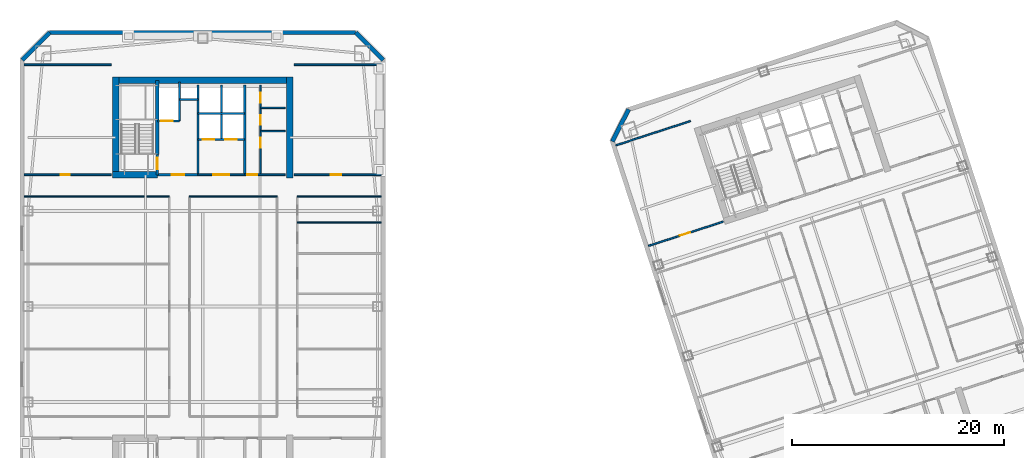
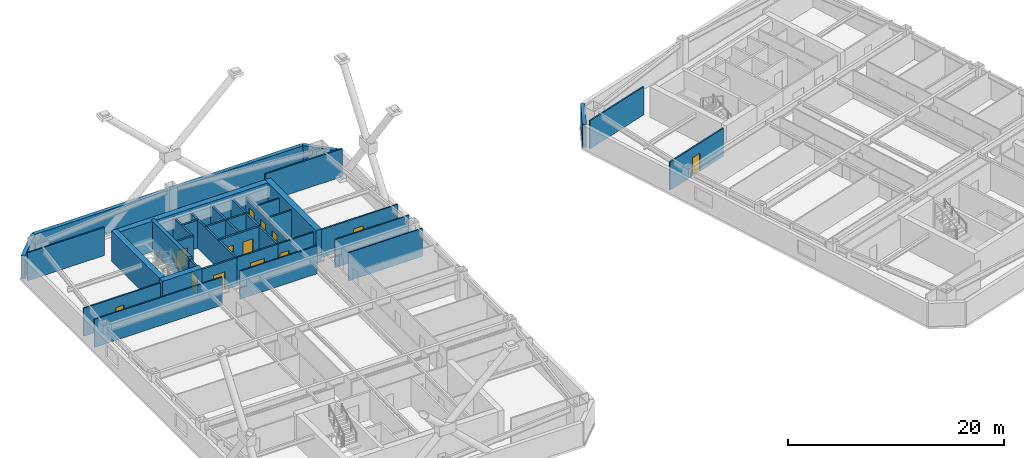
# One storey, part 8 of 14: 34 walls, 13 doors, 13 openings.
"""IFC4 building model written with IfcOpenShell, lengths in metres."""

from ifc_helpers import new_model, si_unit, direction, frame, frame_2d, origin, place, context, subcontext, project, spatial, rectangle, extrude, material, layer, layer_set, type_object, element, fill, save


model = new_model("IFC4")

# Units and contexts
model_context = context("Model", 3, precision=1e-05, world=origin(), true_north=direction((0.0, 1.0)))
body_context = subcontext(model_context, "Body", "Model", "MODEL_VIEW")
ifc_project = project(units=[si_unit("LENGTHUNIT", "METRE"), si_unit("AREAUNIT", "SQUARE_METRE"), si_unit("VOLUMEUNIT", "CUBIC_METRE"), si_unit("PLANEANGLEUNIT", "RADIAN"), si_unit("MASSUNIT", "GRAM", prefix="KILO")], contexts=[model_context])

# Site, building, storey
site_placement = place(None, origin())
site = spatial("IfcSite", under=ifc_project, at=site_placement, CompositionType="ELEMENT")
building_placement = place(site_placement, origin())
building = spatial("IfcBuilding", under=site, at=building_placement, Name="Qiaolan Cultural Towers", CompositionType="ELEMENT")
storey_placement = place(building_placement, frame((0.0, 0.0, 159.85009765625)))
storey = spatial("IfcBuildingStorey", under=building, at=storey_placement, Name="L42", CompositionType="ELEMENT", Elevation=159.85009765625)

# Walls
ifc_material_1 = material(Name="Concrete C50", Category="concrete")
ifc_layer_1 = layer(ifc_material_1, 0.35009765625)
ifc_layer_set_1 = layer_set([ifc_layer_1], Name="Concrete C50")
wall_type_1 = type_object("IfcWallType", Name="WL-CORE-350", PredefinedType="SHEAR", material=ifc_layer_set_1)
wall_1_placement = place(storey_placement, frame((25.719970703125, 48.300048828125, 0.0), z_axis=(0.0, 0.0, 1.0), x_axis=(0.0, 1.0, 0.0)))
element("IfcWall", 1, at=wall_1_placement, inside=storey, type_object=wall_type_1, Name="L42 T1-CN Stair Core Dividing Web", PredefinedType="SHEAR", context=body_context, shape_type="SweptSolid", body=[
    extrude(rectangle(XDim=6.97998046875, YDim=0.35009765625, at=frame_2d((3.489990234375, 0.0))), origin(), (0.0, 0.0, 1.0), 3.449951171875),
])
ifc_material_2 = material(Name="Concrete C55", Category="concrete")
ifc_layer_2 = layer(ifc_material_2, 0.60009765625)
ifc_layer_set_2 = layer_set([ifc_layer_2], Name="Concrete C55")
wall_type_2 = type_object("IfcWallType", Name="WL-CORE-600", PredefinedType="SHEAR", material=ifc_layer_set_2)
wall_2_placement = place(storey_placement, frame((21.5, 55.280029296875, 0.0), z_axis=(0.0, 0.0, 1.0), x_axis=(1.0, 0.0, 0.0)))
element("IfcWall", 2, at=wall_2_placement, inside=storey, type_object=wall_type_2, Name="L42 T1-CN Outer Core Shear Wall", PredefinedType="SHEAR", context=body_context, shape_type="SweptSolid", body=[
    extrude(rectangle(XDim=17.0, YDim=0.60009765625, at=frame_2d((8.5, 0.0))), origin(), (0.0, 0.0, 1.0), 3.449951171875),
])
for number, where, z_axis, x_axis, name in (
    (3, (21.800048828125, 46.10009765625, 0.0), (0.0, 0.0, 1.0), (0.0, 1.0, 0.0), "L42 T1-CN West Core Shear Wall"),
    (4, (38.199951171875, 46.10009765625, 0.0), (0.0, 0.0, 1.0), (0.0, 1.0, 0.0), "L42 T1-CN East Core Shear Wall"),
):
    element("IfcWall", number, at=place(storey_placement, frame(where, z_axis=z_axis, x_axis=x_axis)), inside=storey, type_object=wall_type_2, Name=name, PredefinedType="SHEAR", context=body_context, shape_type="SweptSolid", body=[
        extrude(rectangle(XDim=9.47998046875, YDim=0.60009765625, at=frame_2d((4.739990234375, 0.0))), origin(), (0.0, 0.0, 1.0), 3.449951171875),
    ])
wall_3_placement = place(storey_placement, frame((21.5, 46.39990234375, 0.0), z_axis=(0.0, 0.0, 1.0), x_axis=(1.0, 0.0, 0.0)))
element("IfcWall", 5, at=wall_3_placement, inside=storey, type_object=wall_type_2, Name="L42 T1-CN Stair Front Shear Wall", PredefinedType="SHEAR", context=body_context, shape_type="SweptSolid", body=[
    extrude(rectangle(XDim=4.219970703125, YDim=0.60009765625, at=frame_2d((2.10986328125, 0.0))), origin(), (0.0, 0.0, 1.0), 3.449951171875),
])
ifc_material_3 = material(Name="Precast Concrete C50 Honed Stone Pier", Category="masonry")
ifc_layer_3 = layer(ifc_material_3, 0.39990234375)
ifc_layer_set_3 = layer_set([ifc_layer_3], Name="Precast Concrete C50 Honed Stone Pier")
wall_type_3 = type_object("IfcWallType", Name="WL-EXT-PIER-400", PredefinedType="SOLIDWALL", material=ifc_layer_set_3)
wall_4_placement = place(storey_placement, frame((13.0, 57.199951171875, 0.0), z_axis=(0.0, 0.0, 1.0), x_axis=(0.707106781187, 0.707106781187, 0.0)))
element("IfcWall", 6, at=wall_4_placement, inside=storey, type_object=wall_type_3, Name="L42 West Tower Precast Pier Facade Wall F2", PredefinedType="SOLIDWALL", context=body_context, shape_type="SweptSolid", body=[
    extrude(rectangle(XDim=3.677001953125, YDim=0.39990234375, at=frame_2d((1.83837890625, 0.0))), origin(), (0.0, 0.0, 1.0), 2.60986328125),
])
wall_5_placement = place(storey_placement, frame((15.60009765625, 59.800048828125, 0.0), z_axis=(0.0, 0.0, 1.0), x_axis=(1.0, 0.0, 0.0)))
element("IfcWall", 7, at=wall_5_placement, inside=storey, type_object=wall_type_3, Name="L42 West Tower Precast Pier Facade Wall F3", PredefinedType="SOLIDWALL", context=body_context, shape_type="SweptSolid", body=[
    extrude(rectangle(XDim=28.7998046875, YDim=0.39990234375, at=frame_2d((14.39990234375, 0.0))), origin(), (0.0, 0.0, 1.0), 2.60986328125),
])
wall_6_placement = place(storey_placement, frame((44.39990234375, 59.800048828125, 0.0), z_axis=(0.0, 0.0, 1.0), x_axis=(0.707106781187, -0.707106781187, 0.0)))
element("IfcWall", 8, at=wall_6_placement, inside=storey, type_object=wall_type_3, Name="L42 West Tower Precast Pier Facade Wall F4", PredefinedType="SOLIDWALL", context=body_context, shape_type="SweptSolid", body=[
    extrude(rectangle(XDim=3.677001953125, YDim=0.39990234375, at=frame_2d((1.83837890625, 0.0))), origin(), (0.0, 0.0, 1.0), 2.60986328125),
])
wall_7_placement = place(storey_placement, frame((68.550537109375, 49.531982421875, 0.0), z_axis=(0.0, 0.0, 1.0), x_axis=(0.454019523198, 0.890991735402, 0.0)))
element("IfcWall", 9, at=wall_7_placement, inside=storey, type_object=wall_type_3, Name="L42 East Tower Precast Pier Facade Wall F2", PredefinedType="SOLIDWALL", context=body_context, shape_type="SweptSolid", body=[
    extrude(rectangle(XDim=3.39404296875, YDim=0.39990234375, at=frame_2d((1.697021484375, 0.0))), origin(), (0.0, 0.0, 1.0), 2.60986328125),
])

# Wall, opening, door
ifc_material_4 = material(Name="Concrete C35 Fire Wall", Category="concrete")
ifc_layer_4 = layer(ifc_material_4, 0.199951171875)
ifc_layer_set_4 = layer_set([ifc_layer_4], Name="Concrete C35 Fire Wall")
wall_type_4 = type_object("IfcWallType", Name="WL-FIRE-200", PredefinedType="PARTITIONING", material=ifc_layer_set_4)
wall_8_placement = place(storey_placement, frame((25.719970703125, 46.39990234375, 0.0), z_axis=(0.0, 0.0, 1.0), x_axis=(0.0, 1.0, 0.0)))
wall_8 = element("IfcWall", 10, at=wall_8_placement, inside=storey, type_object=wall_type_4, Name="L42 T1-CN Smokeproof Stair Entry Wall", PredefinedType="PARTITIONING", context=body_context, shape_type="SweptSolid", body=[
    extrude(rectangle(XDim=1.900146484375, YDim=0.199951171875, at=frame_2d((0.9501953125, 0.0))), origin(), (0.0, 0.0, 1.0), 3.1748046875),
])
opening_1_placement = place(wall_8_placement, frame((0.52001953125, 0.0, 0.0)))
opening_1 = element("IfcOpeningElement", 11, at=opening_1_placement, cuts=wall_8, Name="Opening FD-04", PredefinedType="OPENING", context=body_context, shape_type="SweptSolid", body=[
    extrude(rectangle(XDim=1.10009765625, YDim=2.050048828125, at=frame_2d((0.550048828125, 1.02490234375))), frame((0.0, 0.10986328125, 0.0), z_axis=(0.0, -1.0, 0.0), x_axis=(1.0, 0.0, 0.0)), (0.0, 0.0, 1.0), 0.219970703125),
])
ifc_material_5 = material(Name="Galvanized Steel Command Fire Door", Category="steel")
door_type_1 = type_object("IfcDoorType", Name="DR-FD90-1100", OperationType="NOTDEFINED", PredefinedType="DOOR", material=ifc_material_5)
door_1_placement = place(opening_1_placement, origin())
door_1 = element("IfcDoor", 12, at=door_1_placement, inside=storey, type_object=door_type_1, Name="L42 ST-W2 Smokeproof Stair Fire Door", OperationType="SINGLE_SWING_LEFT", OverallHeight=2.050048828125, OverallWidth=1.10009765625, PredefinedType="DOOR", context=body_context, shape_type="SweptSolid", body=[
    extrude(rectangle(XDim=1.10009765625, YDim=2.050048828125, at=frame_2d((0.550048828125, 1.02490234375))), frame((0.0, 0.02490234375, 0.0), z_axis=(0.0, -1.0, 0.0), x_axis=(1.0, 0.0, 0.0)), (0.0, 0.0, 1.0), 0.050048828125),
])
fill(opening_1, door_1)

# Wall
wall_9_placement = place(storey_placement, frame((29.550048828125, 46.39990234375, 0.0), z_axis=(0.0, 0.0, 1.0), x_axis=(0.0, 1.0, 0.0)))
element("IfcWall", 13, at=wall_9_placement, inside=storey, type_object=wall_type_4, Name="L42 T1-CN Firefighting Zone Wall", PredefinedType="PARTITIONING", context=body_context, shape_type="SweptSolid", body=[
    extrude(rectangle(XDim=8.43017578125, YDim=0.199951171875, at=frame_2d((4.215087890625, 0.0))), origin(), (0.0, 0.0, 1.0), 3.1748046875),
])

# Wall, opening, door
wall_10_placement = place(storey_placement, frame((25.719970703125, 46.39990234375, 0.0), z_axis=(0.0, 0.0, 1.0), x_axis=(1.0, 0.0, 0.0)))
wall_10 = element("IfcWall", 14, at=wall_10_placement, inside=storey, type_object=wall_type_4, Name="L42 T1-CN Firefighting Lobby Front Wall", PredefinedType="PARTITIONING", context=body_context, shape_type="SweptSolid", body=[
    extrude(rectangle(XDim=3.830078125, YDim=0.199951171875, at=frame_2d((1.9150390625, 0.0))), origin(), (0.0, 0.0, 1.0), 3.1748046875),
])
opening_2_placement = place(wall_10_placement, frame((1.35009765625, 0.0, 0.0)))
opening_2 = element("IfcOpeningElement", 15, at=opening_2_placement, cuts=wall_10, Name="Opening FD-03", PredefinedType="OPENING", context=body_context, shape_type="SweptSolid", body=[
    extrude(rectangle(XDim=1.199951171875, YDim=2.050048828125, at=frame_2d((0.60009765625, 1.02490234375))), frame((0.0, 0.10986328125, 0.0), z_axis=(0.0, -1.0, 0.0), x_axis=(1.0, 0.0, 0.0)), (0.0, 0.0, 1.0), 0.219970703125),
])
ifc_material_6 = material(Name="Galvanized Steel Smokeproof Lobby Fire Door", Category="steel")
door_type_2 = type_object("IfcDoorType", Name="DR-FD90-1200", OperationType="NOTDEFINED", PredefinedType="DOOR", material=ifc_material_6)
door_2_placement = place(opening_2_placement, origin())
door_2 = element("IfcDoor", 16, at=door_2_placement, inside=storey, type_object=door_type_2, Name="L42 FFL-W2 Firefighting Lobby Fire Door", OperationType="SINGLE_SWING_LEFT", OverallHeight=2.050048828125, OverallWidth=1.199951171875, PredefinedType="DOOR", context=body_context, shape_type="SweptSolid", body=[
    extrude(rectangle(XDim=1.199951171875, YDim=2.050048828125, at=frame_2d((0.60009765625, 1.02490234375))), frame((0.0, 0.02490234375, 0.0), z_axis=(0.0, -1.0, 0.0), x_axis=(1.0, 0.0, 0.0)), (0.0, 0.0, 1.0), 0.050048828125),
])
fill(opening_2, door_2)

wall_11_placement = place(storey_placement, frame((25.719970703125, 51.449951171875, 0.0), z_axis=(0.0, 0.0, 1.0), x_axis=(1.0, 0.0, 0.0)))
wall_11 = element("IfcWall", 17, at=wall_11_placement, inside=storey, type_object=wall_type_4, Name="L42 T1-CN Firefighting Shaft Front Wall", PredefinedType="PARTITIONING", context=body_context, shape_type="SweptSolid", body=[
    extrude(rectangle(XDim=2.10009765625, YDim=0.199951171875, at=frame_2d((1.050048828125, 0.0))), origin(), (0.0, 0.0, 1.0), 3.1748046875),
])
opening_3_placement = place(wall_11_placement, frame((0.35009765625, 0.0, 0.0)))
opening_3 = element("IfcOpeningElement", 18, at=opening_3_placement, cuts=wall_11, Name="Opening LD-01", PredefinedType="OPENING", context=body_context, shape_type="SweptSolid", body=[
    extrude(rectangle(XDim=1.10009765625, YDim=2.050048828125, at=frame_2d((0.550048828125, 1.02490234375))), frame((0.0, 0.10986328125, 0.0), z_axis=(0.0, -1.0, 0.0), x_axis=(1.0, 0.0, 0.0)), (0.0, 0.0, 1.0), 0.219970703125),
])
ifc_material_7 = material(Name="Brushed Stainless Steel S30408 Centre-Parting Lift Landing Door", Category="steel")
door_type_3 = type_object("IfcDoorType", Name="DR-LIFT-1100", OperationType="NOTDEFINED", PredefinedType="DOOR", material=ifc_material_7)
door_3_placement = place(opening_3_placement, origin())
door_3 = element("IfcDoor", 19, at=door_3_placement, inside=storey, type_object=door_type_3, Name="L42 FFL-W2 Firefighting Lift Landing Door", OperationType="DOUBLE_DOOR_SLIDING", OverallHeight=2.050048828125, OverallWidth=1.10009765625, PredefinedType="DOOR", context=body_context, shape_type="SweptSolid", body=[
    extrude(rectangle(XDim=1.10009765625, YDim=2.050048828125, at=frame_2d((0.550048828125, 1.02490234375))), frame((0.0, 0.02490234375, 0.0), z_axis=(0.0, -1.0, 0.0), x_axis=(1.0, 0.0, 0.0)), (0.0, 0.0, 1.0), 0.050048828125),
])
fill(opening_3, door_3)

# Walls
wall_12_placement = place(storey_placement, frame((27.820068359375, 51.449951171875, 0.0), z_axis=(0.0, 0.0, 1.0), x_axis=(0.0, 1.0, 0.0)))
element("IfcWall", 20, at=wall_12_placement, inside=storey, type_object=wall_type_4, Name="L42 T1-CN Firefighting Hoistway East Wall", PredefinedType="PARTITIONING", context=body_context, shape_type="SweptSolid", body=[
    extrude(rectangle(XDim=3.699951171875, YDim=0.199951171875, at=frame_2d((1.85009765625, 0.0))), origin(), (0.0, 0.0, 1.0), 3.1748046875),
])
wall_13_placement = place(storey_placement, frame((27.820068359375, 53.47998046875, 0.0), z_axis=(0.0, 0.0, 1.0), x_axis=(1.0, 0.0, 0.0)))
element("IfcWall", 21, at=wall_13_placement, inside=storey, type_object=wall_type_4, Name="L42 T1-CN Pressurization Shaft Front Wall", PredefinedType="PARTITIONING", context=body_context, shape_type="SweptSolid", body=[
    extrude(rectangle(XDim=1.72998046875, YDim=0.199951171875, at=frame_2d((0.864990234375, 0.0))), origin(), (0.0, 0.0, 1.0), 3.1748046875),
])
wall_14_placement = place(storey_placement, frame((33.949951171875, 46.39990234375, 0.0), z_axis=(0.0, 0.0, 1.0), x_axis=(0.0, 1.0, 0.0)))
element("IfcWall", 22, at=wall_14_placement, inside=storey, type_object=wall_type_4, Name="L42 T1-CN Lift Core East Wall", PredefinedType="PARTITIONING", context=body_context, shape_type="SweptSolid", body=[
    extrude(rectangle(XDim=8.43017578125, YDim=0.199951171875, at=frame_2d((4.215087890625, 0.0))), origin(), (0.0, 0.0, 1.0), 3.1748046875),
])

# Wall, openings, doors
wall_15_placement = place(storey_placement, frame((29.550048828125, 49.719970703125, 0.0), z_axis=(0.0, 0.0, 1.0), x_axis=(1.0, 0.0, 0.0)))
wall_15 = element("IfcWall", 23, at=wall_15_placement, inside=storey, type_object=wall_type_4, Name="L42 T1-CN Passenger Lift Shaft Front Wall", PredefinedType="PARTITIONING", context=body_context, shape_type="SweptSolid", body=[
    extrude(rectangle(XDim=4.39990234375, YDim=0.199951171875, at=frame_2d((2.199951171875, 0.0))), origin(), (0.0, 0.0, 1.0), 3.1748046875),
])
opening_4_placement = place(wall_15_placement, frame((0.449951171875, 0.0, 0.0)))
opening_4 = element("IfcOpeningElement", 24, at=opening_4_placement, cuts=wall_15, Name="Opening LD-01", PredefinedType="OPENING", context=body_context, shape_type="SweptSolid", body=[
    extrude(rectangle(XDim=1.10009765625, YDim=2.050048828125, at=frame_2d((0.550048828125, 1.02490234375))), frame((0.0, 0.10986328125, 0.0), z_axis=(0.0, -1.0, 0.0), x_axis=(1.0, 0.0, 0.0)), (0.0, 0.0, 1.0), 0.219970703125),
])
opening_5_placement = place(wall_15_placement, frame((2.550048828125, 0.0, 0.0)))
opening_5 = element("IfcOpeningElement", 25, at=opening_5_placement, cuts=wall_15, Name="Opening LD-01", PredefinedType="OPENING", context=body_context, shape_type="SweptSolid", body=[
    extrude(rectangle(XDim=1.10009765625, YDim=2.050048828125, at=frame_2d((0.550048828125, 1.02490234375))), frame((0.0, 0.10986328125, 0.0), z_axis=(0.0, -1.0, 0.0), x_axis=(1.0, 0.0, 0.0)), (0.0, 0.0, 1.0), 0.219970703125),
])
door_4_placement = place(opening_4_placement, origin())
door_4 = element("IfcDoor", 26, at=door_4_placement, inside=storey, type_object=door_type_3, Name="L42 Passenger Lift 1 Landing Door", OperationType="DOUBLE_DOOR_SLIDING", OverallHeight=2.050048828125, OverallWidth=1.10009765625, PredefinedType="DOOR", context=body_context, shape_type="SweptSolid", body=[
    extrude(rectangle(XDim=1.10009765625, YDim=2.050048828125, at=frame_2d((0.550048828125, 1.02490234375))), frame((0.0, 0.02490234375, 0.0), z_axis=(0.0, -1.0, 0.0), x_axis=(1.0, 0.0, 0.0)), (0.0, 0.0, 1.0), 0.050048828125),
])
fill(opening_4, door_4)
door_5_placement = place(opening_5_placement, origin())
door_5 = element("IfcDoor", 27, at=door_5_placement, inside=storey, type_object=door_type_3, Name="L42 Passenger Lift 2 Landing Door", OperationType="DOUBLE_DOOR_SLIDING", OverallHeight=2.050048828125, OverallWidth=1.10009765625, PredefinedType="DOOR", context=body_context, shape_type="SweptSolid", body=[
    extrude(rectangle(XDim=1.10009765625, YDim=2.050048828125, at=frame_2d((0.550048828125, 1.02490234375))), frame((0.0, 0.02490234375, 0.0), z_axis=(0.0, -1.0, 0.0), x_axis=(1.0, 0.0, 0.0)), (0.0, 0.0, 1.0), 0.050048828125),
])
fill(opening_5, door_5)

# Walls
wall_16_placement = place(storey_placement, frame((31.780029296875, 49.719970703125, 0.0), z_axis=(0.0, 0.0, 1.0), x_axis=(0.0, 1.0, 0.0)))
element("IfcWall", 28, at=wall_16_placement, inside=storey, type_object=wall_type_4, Name="L42 T1-CN Lift Shaft Divider Wall", PredefinedType="PARTITIONING", context=body_context, shape_type="SweptSolid", body=[
    extrude(rectangle(XDim=5.110107421875, YDim=0.199951171875, at=frame_2d((2.55517578125, 0.0))), origin(), (0.0, 0.0, 1.0), 3.1748046875),
])
wall_17_placement = place(storey_placement, frame((29.550048828125, 52.14990234375, 0.0), z_axis=(0.0, 0.0, 1.0), x_axis=(1.0, 0.0, 0.0)))
element("IfcWall", 29, at=wall_17_placement, inside=storey, type_object=wall_type_4, Name="L42 T1-CN Passenger Lift Shaft Back Wall", PredefinedType="PARTITIONING", context=body_context, shape_type="SweptSolid", body=[
    extrude(rectangle(XDim=4.39990234375, YDim=0.199951171875, at=frame_2d((2.199951171875, 0.0))), origin(), (0.0, 0.0, 1.0), 3.1748046875),
])
ifc_material_8 = material(Name="Gypsum Stud Acoustic Partition", Category="gypsum")
ifc_layer_5 = layer(ifc_material_8, 0.1201171875)
ifc_layer_set_5 = layer_set([ifc_layer_5], Name="Gypsum Stud Acoustic Partition")
wall_type_5 = type_object("IfcWallType", Name="WL-PART-120", PredefinedType="PARTITIONING", material=ifc_layer_set_5)
wall_18_placement = place(storey_placement, frame((13.199951171875, 44.35009765625, 0.0), z_axis=(0.0, 0.0, 1.0), x_axis=(1.0, 0.0, 0.0)))
element("IfcWall", 30, at=wall_18_placement, inside=storey, type_object=wall_type_5, Name="L42 T1 Interior Wall", PredefinedType="PARTITIONING", context=body_context, shape_type="SweptSolid", body=[
    extrude(rectangle(XDim=13.650146484375, YDim=0.1201171875, at=frame_2d((6.8251953125, 0.0))), origin(), (0.0, 0.0, 1.0), 3.1748046875),
])
wall_19_placement = place(storey_placement, frame((28.75, 44.35009765625, 0.0), z_axis=(0.0, 0.0, 1.0), x_axis=(1.0, 0.0, 0.0)))
element("IfcWall", 31, at=wall_19_placement, inside=storey, type_object=wall_type_5, Name="L42 T1 Interior Wall", PredefinedType="PARTITIONING", context=body_context, shape_type="SweptSolid", body=[
    extrude(rectangle(XDim=8.25, YDim=0.1201171875, at=frame_2d((4.125, 0.0))), origin(), (0.0, 0.0, 1.0), 3.1748046875),
])
for number, where, z_axis, x_axis, name in (
    (32, (38.89990234375, 44.35009765625, 0.0), (0.0, 0.0, 1.0), (1.0, 0.0, 0.0), "L42 T1 Interior Wall"),
    (33, (38.89990234375, 41.89794921875, 0.0), (0.0, 0.0, 1.0), (1.0, 0.0, 0.0), "L42 T1 Interior Wall"),
):
    element("IfcWall", number, at=place(storey_placement, frame(where, z_axis=z_axis, x_axis=x_axis)), inside=storey, type_object=wall_type_5, Name=name, PredefinedType="PARTITIONING", context=body_context, shape_type="SweptSolid", body=[
        extrude(rectangle(XDim=7.900146484375, YDim=0.1201171875, at=frame_2d((3.9501953125, 0.0))), origin(), (0.0, 0.0, 1.0), 3.1748046875),
    ])

# Wall, opening, door
ifc_material_9 = material(Name="Autoclaved Aerated Concrete Block B06", Category="concrete")
ifc_layer_6 = layer(ifc_material_9, 0.14990234375)
ifc_layer_set_6 = layer_set([ifc_layer_6], Name="Autoclaved Aerated Concrete Block B06")
wall_type_6 = type_object("IfcWallType", Name="WL-PART-150", PredefinedType="PARTITIONING", material=ifc_layer_set_6)
wall_20_placement = place(storey_placement, frame((29.550048828125, 46.39990234375, 0.0), z_axis=(0.0, 0.0, 1.0), x_axis=(1.0, 0.0, 0.0)))
wall_20 = element("IfcWall", 34, at=wall_20_placement, inside=storey, type_object=wall_type_6, Name="L42 T1-CN Passenger Lift Lobby Front Wall", PredefinedType="PARTITIONING", context=body_context, shape_type="SweptSolid", body=[
    extrude(rectangle(XDim=4.39990234375, YDim=0.14990234375, at=frame_2d((2.199951171875, 0.0))), origin(), (0.0, 0.0, 1.0), 3.1748046875),
])
opening_6_placement = place(wall_20_placement, frame((1.449951171875, 0.0, 0.0)))
opening_6 = element("IfcOpeningElement", 35, at=opening_6_placement, cuts=wall_20, Name="Opening FD-05", PredefinedType="OPENING", context=body_context, shape_type="SweptSolid", body=[
    extrude(rectangle(XDim=1.5, YDim=2.050048828125, at=frame_2d((0.75, 1.02490234375))), frame((0.0, 0.0849609375, 0.0), z_axis=(0.0, -1.0, 0.0), x_axis=(1.0, 0.0, 0.0)), (0.0, 0.0, 1.0), 0.169921875),
])
ifc_material_10 = material(Name="Painted Steel Lift Lobby Fire Door", Category="steel")
door_type_4 = type_object("IfcDoorType", Name="DR-FD60-1500", OperationType="NOTDEFINED", PredefinedType="DOOR", material=ifc_material_10)
door_6_placement = place(opening_6_placement, origin())
door_6 = element("IfcDoor", 36, at=door_6_placement, inside=storey, type_object=door_type_4, Name="L42 Passenger Lift Lobby Entrance", OperationType="SINGLE_SWING_LEFT", OverallHeight=2.050048828125, OverallWidth=1.5, PredefinedType="DOOR", context=body_context, shape_type="SweptSolid", body=[
    extrude(rectangle(XDim=1.5, YDim=2.050048828125, at=frame_2d((0.75, 1.02490234375))), frame((0.0, 0.02490234375, 0.0), z_axis=(0.0, -1.0, 0.0), x_axis=(1.0, 0.0, 0.0)), (0.0, 0.0, 1.0), 0.050048828125),
])
fill(opening_6, door_6)

wall_21_placement = place(storey_placement, frame((33.949951171875, 46.39990234375, 0.0), z_axis=(0.0, 0.0, 1.0), x_axis=(1.0, 0.0, 0.0)))
wall_21 = element("IfcWall", 37, at=wall_21_placement, inside=storey, type_object=wall_type_6, Name="L42 T1-CN Sanitary Core Front Wall", PredefinedType="PARTITIONING", context=body_context, shape_type="SweptSolid", body=[
    extrude(rectangle(XDim=3.800048828125, YDim=0.14990234375, at=frame_2d((1.89990234375, 0.0))), origin(), (0.0, 0.0, 1.0), 3.1748046875),
])
opening_7_placement = place(wall_21_placement, frame((0.219970703125, 0.0, 0.0)))
opening_7 = element("IfcOpeningElement", 38, at=opening_7_placement, cuts=wall_21, Name="Opening ID-05", PredefinedType="OPENING", context=body_context, shape_type="SweptSolid", body=[
    extrude(rectangle(XDim=0.949951171875, YDim=2.050048828125, at=frame_2d((0.47509765625, 1.02490234375))), frame((0.0, 0.0849609375, 0.0), z_axis=(0.0, -1.0, 0.0), x_axis=(1.0, 0.0, 0.0)), (0.0, 0.0, 1.0), 0.169921875),
])
ifc_material_11 = material(Name="Fire-Rated Laminate Accessible Core Door", Category="timber")
door_type_5 = type_object("IfcDoorType", Name="DR-INT-950", OperationType="NOTDEFINED", PredefinedType="DOOR", material=ifc_material_11)
door_7_placement = place(opening_7_placement, origin())
door_7 = element("IfcDoor", 39, at=door_7_placement, inside=storey, type_object=door_type_5, Name="L42 Sanitary Vestibule Door", OperationType="SINGLE_SWING_LEFT", OverallHeight=2.050048828125, OverallWidth=0.949951171875, PredefinedType="DOOR", context=body_context, shape_type="SweptSolid", body=[
    extrude(rectangle(XDim=0.949951171875, YDim=2.050048828125, at=frame_2d((0.47509765625, 1.02490234375))), frame((0.0, 0.02490234375, 0.0), z_axis=(0.0, -1.0, 0.0), x_axis=(1.0, 0.0, 0.0)), (0.0, 0.0, 1.0), 0.050048828125),
])
fill(opening_7, door_7)

# Wall, openings, doors
wall_22_placement = place(storey_placement, frame((35.449951171875, 46.39990234375, 0.0), z_axis=(0.0, 0.0, 1.0), x_axis=(0.0, 1.0, 0.0)))
wall_22 = element("IfcWall", 40, at=wall_22_placement, inside=storey, type_object=wall_type_6, Name="L42 T1-CN Sanitary Vestibule Wall", PredefinedType="PARTITIONING", context=body_context, shape_type="SweptSolid", body=[
    extrude(rectangle(XDim=8.43017578125, YDim=0.14990234375, at=frame_2d((4.215087890625, 0.0))), origin(), (0.0, 0.0, 1.0), 2.764892578125),
])
opening_8_placement = place(wall_22_placement, frame((2.550048828125, 0.0, 0.0)))
opening_8 = element("IfcOpeningElement", 41, at=opening_8_placement, cuts=wall_22, Name="Opening ID-05", PredefinedType="OPENING", context=body_context, shape_type="SweptSolid", body=[
    extrude(rectangle(XDim=0.949951171875, YDim=2.050048828125, at=frame_2d((0.47509765625, 1.02490234375))), frame((0.0, 0.0849609375, 0.0), z_axis=(0.0, -1.0, 0.0), x_axis=(1.0, 0.0, 0.0)), (0.0, 0.0, 1.0), 0.169921875),
])
opening_9_placement = place(wall_22_placement, frame((4.699951171875, 0.0, 0.0)))
opening_9 = element("IfcOpeningElement", 42, at=opening_9_placement, cuts=wall_22, Name="Opening ID-06", PredefinedType="OPENING", context=body_context, shape_type="SweptSolid", body=[
    extrude(rectangle(XDim=0.89990234375, YDim=2.050048828125, at=frame_2d((0.449951171875, 1.02490234375))), frame((0.0, 0.0849609375, 0.0), z_axis=(0.0, -1.0, 0.0), x_axis=(1.0, 0.0, 0.0)), (0.0, 0.0, 1.0), 0.169921875),
])
opening_10_placement = place(wall_22_placement, frame((6.800048828125, 0.0, 0.0)))
opening_10 = element("IfcOpeningElement", 43, at=opening_10_placement, cuts=wall_22, Name="Opening ID-06", PredefinedType="OPENING", context=body_context, shape_type="SweptSolid", body=[
    extrude(rectangle(XDim=0.89990234375, YDim=2.050048828125, at=frame_2d((0.449951171875, 1.02490234375))), frame((0.0, 0.0849609375, 0.0), z_axis=(0.0, -1.0, 0.0), x_axis=(1.0, 0.0, 0.0)), (0.0, 0.0, 1.0), 0.169921875),
])
ifc_material_12 = material(Name="Fire-Rated Laminate Core Service Door", Category="timber")
door_type_6 = type_object("IfcDoorType", Name="DR-INT-900", OperationType="NOTDEFINED", PredefinedType="DOOR", material=ifc_material_12)
door_8_placement = place(opening_9_placement, origin())
door_8 = element("IfcDoor", 44, at=door_8_placement, inside=storey, type_object=door_type_6, Name="L42 Men Washroom Door", OperationType="SINGLE_SWING_LEFT", OverallHeight=2.050048828125, OverallWidth=0.89990234375, PredefinedType="DOOR", context=body_context, shape_type="SweptSolid", body=[
    extrude(rectangle(XDim=0.89990234375, YDim=2.050048828125, at=frame_2d((0.449951171875, 1.02490234375))), frame((0.0, 0.02490234375, 0.0), z_axis=(0.0, -1.0, 0.0), x_axis=(1.0, 0.0, 0.0)), (0.0, 0.0, 1.0), 0.050048828125),
])
fill(opening_9, door_8)
door_9_placement = place(opening_10_placement, origin())
door_9 = element("IfcDoor", 45, at=door_9_placement, inside=storey, type_object=door_type_6, Name="L42 Women Washroom Door", OperationType="SINGLE_SWING_RIGHT", OverallHeight=2.050048828125, OverallWidth=0.89990234375, PredefinedType="DOOR", context=body_context, shape_type="SweptSolid", body=[
    extrude(rectangle(XDim=0.89990234375, YDim=2.050048828125, at=frame_2d((0.449951171875, 1.02490234375))), frame((0.0, 0.02490234375, 0.0), z_axis=(0.0, -1.0, 0.0), x_axis=(1.0, 0.0, 0.0)), (0.0, 0.0, 1.0), 0.050048828125),
])
fill(opening_10, door_9)
door_10_placement = place(opening_8_placement, origin())
door_10 = element("IfcDoor", 46, at=door_10_placement, inside=storey, type_object=door_type_5, Name="L42 Accessible Family Washroom Door", OperationType="SINGLE_SWING_LEFT", OverallHeight=2.050048828125, OverallWidth=0.949951171875, PredefinedType="DOOR", context=body_context, shape_type="SweptSolid", body=[
    extrude(rectangle(XDim=0.949951171875, YDim=2.050048828125, at=frame_2d((0.47509765625, 1.02490234375))), frame((0.0, 0.02490234375, 0.0), z_axis=(0.0, -1.0, 0.0), x_axis=(1.0, 0.0, 0.0)), (0.0, 0.0, 1.0), 0.050048828125),
])
fill(opening_8, door_10)

# Walls
for number, where, z_axis, x_axis, name in (
    (47, (35.449951171875, 50.5, 0.0), (0.0, 0.0, 1.0), (1.0, 0.0, 0.0), "L42 T1-CN Restroom Split Wall 1"),
    (48, (35.449951171875, 52.699951171875, 0.0), (0.0, 0.0, 1.0), (1.0, 0.0, 0.0), "L42 T1-CN Restroom Split Wall 2"),
):
    element("IfcWall", number, at=place(storey_placement, frame(where, z_axis=z_axis, x_axis=x_axis)), inside=storey, type_object=wall_type_6, Name=name, PredefinedType="PARTITIONING", context=body_context, shape_type="SweptSolid", body=[
        extrude(rectangle(XDim=2.300048828125, YDim=0.14990234375, at=frame_2d((1.14990234375, 0.0))), origin(), (0.0, 0.0, 1.0), 3.1748046875),
    ])
wall_23_placement = place(storey_placement, frame((13.199951171875, 56.75, 0.0), z_axis=(0.0, 0.0, 1.0), x_axis=(1.0, 0.0, 0.0)))
element("IfcWall", 49, at=wall_23_placement, inside=storey, type_object=wall_type_6, Name="L42 T1 Flank Wall FLK-NW", PredefinedType="PARTITIONING", context=body_context, shape_type="SweptSolid", body=[
    extrude(rectangle(XDim=8.199951171875, YDim=0.14990234375, at=frame_2d((4.10009765625, 0.0))), origin(), (0.0, 0.0, 1.0), 3.1748046875),
])

# Wall, opening, door
wall_24_placement = place(storey_placement, frame((13.199951171875, 46.39990234375, 0.0), z_axis=(0.0, 0.0, 1.0), x_axis=(1.0, 0.0, 0.0)))
wall_24 = element("IfcWall", 50, at=wall_24_placement, inside=storey, type_object=wall_type_6, Name="L42 T1 Flank Front FLK-NW", PredefinedType="PARTITIONING", context=body_context, shape_type="SweptSolid", body=[
    extrude(rectangle(XDim=8.199951171875, YDim=0.14990234375, at=frame_2d((4.10009765625, 0.0))), origin(), (0.0, 0.0, 1.0), 3.1748046875),
])
opening_11_placement = place(wall_24_placement, frame((3.444091796875, 0.0, 0.0)))
opening_11 = element("IfcOpeningElement", 51, at=opening_11_placement, cuts=wall_24, Name="Opening ID-09", PredefinedType="OPENING", context=body_context, shape_type="SweptSolid", body=[
    extrude(rectangle(XDim=0.85009765625, YDim=2.050048828125, at=frame_2d((0.425048828125, 1.02490234375))), frame((0.0, 0.0849609375, 0.0), z_axis=(0.0, -1.0, 0.0), x_axis=(1.0, 0.0, 0.0)), (0.0, 0.0, 1.0), 0.169921875),
])
ifc_material_13 = material(Name="Moisture-Resistant Laminate Utility Door", Category="timber")
door_type_7 = type_object("IfcDoorType", Name="DR-INT-850", OperationType="NOTDEFINED", PredefinedType="DOOR", material=ifc_material_13)
door_11_placement = place(opening_11_placement, origin())
door_11 = element("IfcDoor", 52, at=door_11_placement, inside=storey, type_object=door_type_7, Name="L42 T1 Corner Studio Door", OperationType="SINGLE_SWING_LEFT", OverallHeight=2.050048828125, OverallWidth=0.85009765625, PredefinedType="DOOR", context=body_context, shape_type="SweptSolid", body=[
    extrude(rectangle(XDim=0.85009765625, YDim=2.050048828125, at=frame_2d((0.425048828125, 1.02490234375))), frame((0.0, 0.02490234375, 0.0), z_axis=(0.0, -1.0, 0.0), x_axis=(1.0, 0.0, 0.0)), (0.0, 0.0, 1.0), 0.050048828125),
])
fill(opening_11, door_11)

# Wall
wall_25_placement = place(storey_placement, frame((38.60009765625, 56.75, 0.0), z_axis=(0.0, 0.0, 1.0), x_axis=(1.0, 0.0, 0.0)))
element("IfcWall", 53, at=wall_25_placement, inside=storey, type_object=wall_type_6, Name="L42 T1 Flank Wall FLK-NE", PredefinedType="PARTITIONING", context=body_context, shape_type="SweptSolid", body=[
    extrude(rectangle(XDim=8.199951171875, YDim=0.14990234375, at=frame_2d((4.10009765625, 0.0))), origin(), (0.0, 0.0, 1.0), 3.1748046875),
])

# Wall, opening, door
wall_26_placement = place(storey_placement, frame((38.60009765625, 46.39990234375, 0.0), z_axis=(0.0, 0.0, 1.0), x_axis=(1.0, 0.0, 0.0)))
wall_26 = element("IfcWall", 54, at=wall_26_placement, inside=storey, type_object=wall_type_6, Name="L42 T1 Flank Front FLK-NE", PredefinedType="PARTITIONING", context=body_context, shape_type="SweptSolid", body=[
    extrude(rectangle(XDim=8.199951171875, YDim=0.14990234375, at=frame_2d((4.10009765625, 0.0))), origin(), (0.0, 0.0, 1.0), 3.1748046875),
])
opening_12_placement = place(wall_26_placement, frame((3.444091796875, 0.0, 0.0)))
opening_12 = element("IfcOpeningElement", 55, at=opening_12_placement, cuts=wall_26, Name="Opening ID-04", PredefinedType="OPENING", context=body_context, shape_type="SweptSolid", body=[
    extrude(rectangle(XDim=1.0, YDim=2.050048828125, at=frame_2d((0.5, 1.02490234375))), frame((0.0, 0.0849609375, 0.0), z_axis=(0.0, -1.0, 0.0), x_axis=(1.0, 0.0, 0.0)), (0.0, 0.0, 1.0), 0.169921875),
])
ifc_material_14 = material(Name="Oak Veneer Acoustic Office Door", Category="timber")
door_type_8 = type_object("IfcDoorType", Name="DR-INT-1000", OperationType="NOTDEFINED", PredefinedType="DOOR", material=ifc_material_14)
door_12_placement = place(opening_12_placement, origin())
door_12 = element("IfcDoor", 56, at=door_12_placement, inside=storey, type_object=door_type_8, Name="L42 T1 Corner Studio Door", OperationType="SINGLE_SWING_LEFT", OverallHeight=2.050048828125, OverallWidth=1.0, PredefinedType="DOOR", context=body_context, shape_type="SweptSolid", body=[
    extrude(rectangle(XDim=1.0, YDim=2.050048828125, at=frame_2d((0.5, 1.02490234375))), frame((0.0, 0.02490234375, 0.0), z_axis=(0.0, -1.0, 0.0), x_axis=(1.0, 0.0, 0.0)), (0.0, 0.0, 1.0), 0.050048828125),
])
fill(opening_12, door_12)

# Wall
wall_27_placement = place(storey_placement, frame((68.8798828125, 49.165771484375, 0.0), z_axis=(0.0, 0.0, 1.0), x_axis=(0.951060977215, 0.309003264738, 0.0)))
element("IfcWall", 57, at=wall_27_placement, inside=storey, type_object=wall_type_6, Name="L42 T2 Flank Wall FLK-NW", PredefinedType="PARTITIONING", context=body_context, shape_type="SweptSolid", body=[
    extrude(rectangle(XDim=7.39990234375, YDim=0.14990234375, at=frame_2d((3.699951171875, 0.0))), origin(), (0.0, 0.0, 1.0), 3.1748046875),
])

# Wall, opening, door
wall_28_placement = place(storey_placement, frame((71.95458984375, 39.702880859375, 0.0), z_axis=(0.0, 0.0, 1.0), x_axis=(0.951060977215, 0.309003264738, 0.0)))
wall_28 = element("IfcWall", 58, at=wall_28_placement, inside=storey, type_object=wall_type_6, Name="L42 T2 Flank Front FLK-NW", PredefinedType="PARTITIONING", context=body_context, shape_type="SweptSolid", body=[
    extrude(rectangle(XDim=7.39990234375, YDim=0.14990234375, at=frame_2d((3.699951171875, 0.0))), origin(), (0.0, 0.0, 1.0), 3.1748046875),
])
opening_13_placement = place(wall_28_placement, frame((3.10791015625, 0.0, 0.0)))
opening_13 = element("IfcOpeningElement", 59, at=opening_13_placement, cuts=wall_28, Name="Opening ID-04", PredefinedType="OPENING", context=body_context, shape_type="SweptSolid", body=[
    extrude(rectangle(XDim=1.0, YDim=2.050048828125, at=frame_2d((0.5, 1.02490234375))), frame((0.0, 0.0849609375, 0.0), z_axis=(0.0, -1.0, 0.0), x_axis=(1.0, 0.0, 0.0)), (0.0, 0.0, 1.0), 0.169921875),
])
door_13_placement = place(opening_13_placement, origin())
door_13 = element("IfcDoor", 60, at=door_13_placement, inside=storey, type_object=door_type_8, Name="L42 T2 Corner Studio Door", OperationType="SINGLE_SWING_LEFT", OverallHeight=2.050048828125, OverallWidth=1.0, PredefinedType="DOOR", context=body_context, shape_type="SweptSolid", body=[
    extrude(rectangle(XDim=1.0, YDim=2.050048828125, at=frame_2d((0.5, 1.02490234375))), frame((0.0, 0.02490234375, 0.0), z_axis=(0.0, -1.0, 0.0), x_axis=(1.0, 0.0, 0.0)), (0.0, 0.0, 1.0), 0.050048828125),
])
fill(opening_13, door_13)

save(model, "model.ifc")
